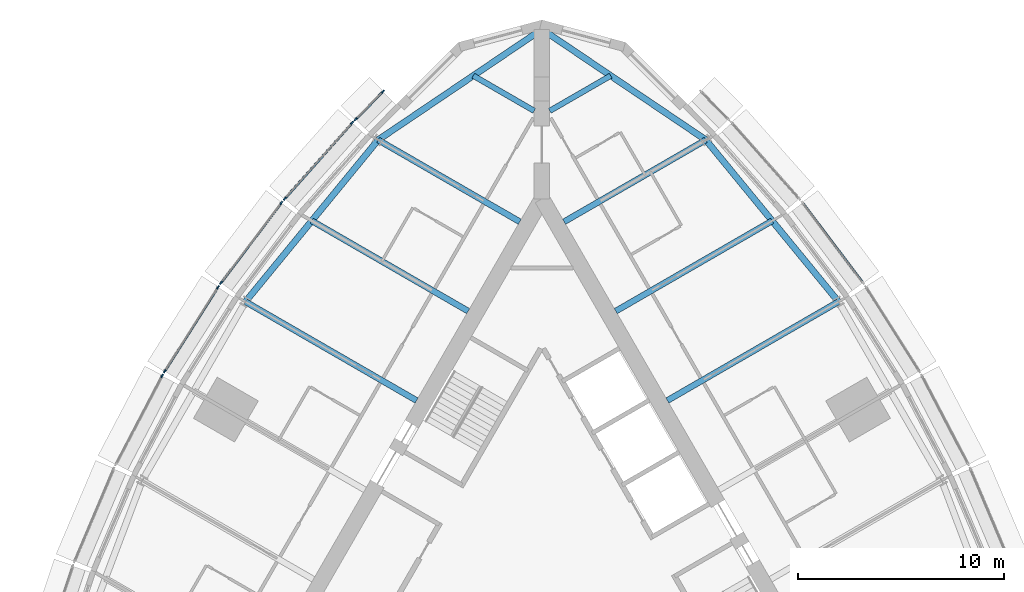
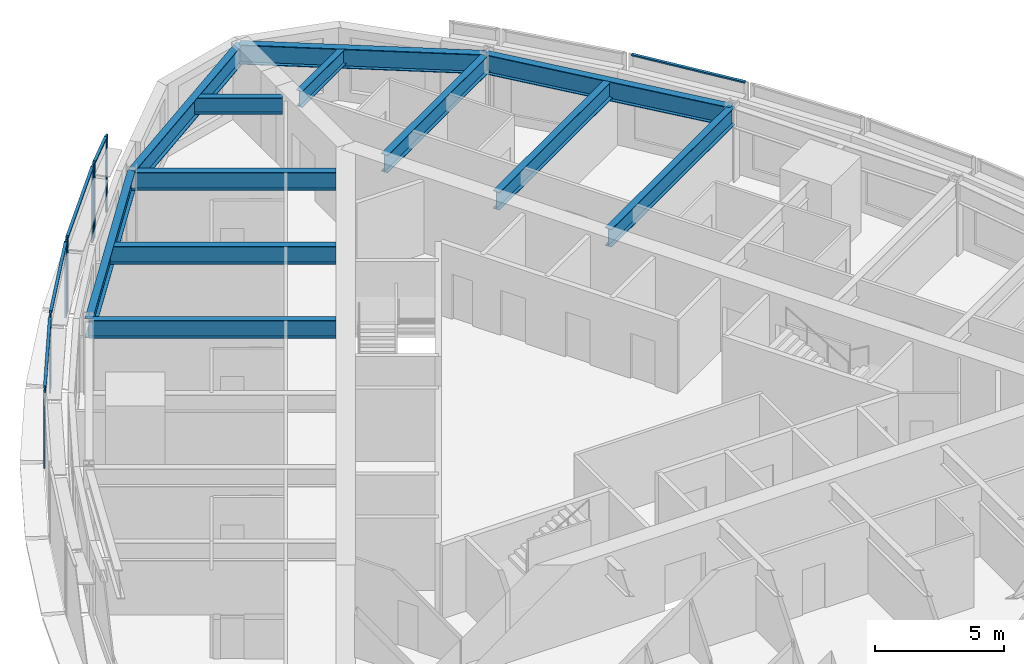
# One storey, part 5 of 15: 14 members, 12 beams, 6 elements without a shape of their own.
"""IFC4 building model written with IfcOpenShell, lengths in metres."""

from ifc_helpers import new_model, si_unit, direction, frame, origin, origin_2d, place, context, subcontext, project, spatial, rectangle, i_section, extrude, material, material_profile, profile_set, type_object, element, aggregate, save


model = new_model("IFC4")

# Units and contexts
model_context = context("Model", 3, precision=1e-05, world=origin(), true_north=direction((0.0, 1.0)))
body_context = subcontext(model_context, "Body", "Model", "MODEL_VIEW")
ifc_project = project(units=[si_unit("LENGTHUNIT", "METRE"), si_unit("AREAUNIT", "SQUARE_METRE"), si_unit("VOLUMEUNIT", "CUBIC_METRE"), si_unit("PLANEANGLEUNIT", "RADIAN"), si_unit("MASSUNIT", "GRAM", prefix="KILO")], contexts=[model_context])

# Site, building, storey
site_placement = place(None, origin())
site = spatial("IfcSite", under=ifc_project, at=site_placement, CompositionType="ELEMENT")
building_placement = place(site_placement, origin())
building = spatial("IfcBuilding", under=site, at=building_placement, Name="Trikona Tower", CompositionType="ELEMENT")
storey_placement = place(building_placement, frame((0.0, 0.0, 226.10009765625)))
storey = spatial("IfcBuildingStorey", under=building, at=storey_placement, Name="L60", CompositionType="ELEMENT", Elevation=226.10009765625)

# Curtain wall, members
ifc_material_1 = material(Name="Aluminium curtain wall system", Category="aluminium")
curtain_wall_type = type_object("IfcCurtainWallType", Name="Curtain wall DS3", PredefinedType="NOTDEFINED", material=ifc_material_1)
curtain_wall_1_placement = place(storey_placement, origin())
curtain_wall_1 = element("IfcCurtainWall", 1, at=curtain_wall_1_placement, inside=storey, type_object=curtain_wall_type, Name="Curtain wall DS3 L60", PredefinedType="NOTDEFINED")
ifc_material_2 = material(Name="Aluminium mullion, pale anodised", Category="aluminium")
ifc_material_profile_1 = material_profile(ifc_material_2, rectangle(XDim=0.070068359375, YDim=0.179931640625, at=origin_2d()), Name="MUL-DS3")
ifc_profile_set_1 = profile_set([ifc_material_profile_1], Name="Aluminium mullion, pale anodised")
member_type_1 = type_object("IfcMemberType", Name="Mullion DS3 70x180", PredefinedType="MULLION", material=ifc_profile_set_1)
member_1_placement = place(storey_placement, frame((-7.7060546875, 24.237548828125, 0.0), z_axis=(0.0, 0.0, 1.0), x_axis=(0.710051900554, -0.704149343903, 0.0)))
member_1 = element("IfcMember", 2, at=member_1_placement, type_object=member_type_1, Name="CW-DS3 mullion 1", PredefinedType="MULLION", context=body_context, shape_type="SweptSolid", body=[
    extrude(rectangle(XDim=0.070068359375, YDim=0.179931640625, at=origin_2d()), origin(), (0.0, 0.0, 1.0), 3.599853515625),
])
member_2_placement = place(storey_placement, frame((-9.028564453125, 22.904052734375, 0.0), z_axis=(0.0, 0.0, 1.0), x_axis=(0.710051900554, -0.704149343903, 0.0)))
member_2 = element("IfcMember", 3, at=member_2_placement, type_object=member_type_1, Name="CW-DS3 mullion 2", PredefinedType="MULLION", context=body_context, shape_type="SweptSolid", body=[
    extrude(rectangle(XDim=0.070068359375, YDim=0.179931640625, at=origin_2d()), origin(), (0.0, 0.0, 1.0), 3.599853515625),
])

curtain_wall_2_placement = place(storey_placement, origin())
curtain_wall_2 = element("IfcCurtainWall", 4, at=curtain_wall_2_placement, inside=storey, type_object=curtain_wall_type, Name="Curtain wall DS3 L60", PredefinedType="NOTDEFINED")
member_3_placement = place(storey_placement, frame((-9.192138671875, 22.729736328125, 0.0), z_axis=(0.0, 0.0, 1.0), x_axis=(0.747402677853, -0.664371309689, 0.0)))
member_3 = element("IfcMember", 5, at=member_3_placement, type_object=member_type_1, Name="CW-DS3 mullion 1", PredefinedType="MULLION", context=body_context, shape_type="SweptSolid", body=[
    extrude(rectangle(XDim=0.070068359375, YDim=0.179931640625, at=origin_2d()), origin(), (0.0, 0.0, 1.0), 3.599853515625),
])
member_4_placement = place(storey_placement, frame((-12.45751953125, 19.056396484375, 0.0), z_axis=(0.0, 0.0, 1.0), x_axis=(0.747402677853, -0.664371309689, 0.0)))
member_4 = element("IfcMember", 6, at=member_4_placement, type_object=member_type_1, Name="CW-DS3 mullion 2", PredefinedType="MULLION", context=body_context, shape_type="SweptSolid", body=[
    extrude(rectangle(XDim=0.070068359375, YDim=0.179931640625, at=origin_2d()), origin(), (0.0, 0.0, 1.0), 3.599853515625),
])

curtain_wall_3_placement = place(storey_placement, origin())
curtain_wall_3 = element("IfcCurtainWall", 7, at=curtain_wall_3_placement, inside=storey, type_object=curtain_wall_type, Name="Curtain wall DS3 L60", PredefinedType="NOTDEFINED")
member_5_placement = place(storey_placement, frame((-12.62353515625, 18.853759765625, 0.0), z_axis=(0.0, 0.0, 1.0), x_axis=(0.798193208724, -0.602401528506, 0.0)))
member_5 = element("IfcMember", 8, at=member_5_placement, type_object=member_type_1, Name="CW-DS3 mullion 1", PredefinedType="MULLION", context=body_context, shape_type="SweptSolid", body=[
    extrude(rectangle(XDim=0.070068359375, YDim=0.179931640625, at=origin_2d()), origin(), (0.0, 0.0, 1.0), 3.599853515625),
])
member_6_placement = place(storey_placement, frame((-15.5439453125, 14.984130859375, 0.0), z_axis=(0.0, 0.0, 1.0), x_axis=(0.798193208724, -0.602401528506, 0.0)))
member_6 = element("IfcMember", 9, at=member_6_placement, type_object=member_type_1, Name="CW-DS3 mullion 2", PredefinedType="MULLION", context=body_context, shape_type="SweptSolid", body=[
    extrude(rectangle(XDim=0.070068359375, YDim=0.179931640625, at=origin_2d()), origin(), (0.0, 0.0, 1.0), 3.599853515625),
])

curtain_wall_4_placement = place(storey_placement, origin())
curtain_wall_4 = element("IfcCurtainWall", 10, at=curtain_wall_4_placement, inside=storey, type_object=curtain_wall_type, Name="Curtain wall DS3 L60", PredefinedType="NOTDEFINED")
member_7_placement = place(storey_placement, frame((-15.69384765625, 14.767578125, 0.0), z_axis=(0.0, 0.0, 1.0), x_axis=(0.844727131858, -0.535197227854, 0.0)))
member_7 = element("IfcMember", 11, at=member_7_placement, type_object=member_type_1, Name="CW-DS3 mullion 1", PredefinedType="MULLION", context=body_context, shape_type="SweptSolid", body=[
    extrude(rectangle(XDim=0.070068359375, YDim=0.179931640625, at=origin_2d()), origin(), (0.0, 0.0, 1.0), 3.599853515625),
])
member_8_placement = place(storey_placement, frame((-18.2705078125, 10.700927734375, 0.0), z_axis=(0.0, 0.0, 1.0), x_axis=(0.844727131858, -0.535197227854, 0.0)))
member_8 = element("IfcMember", 12, at=member_8_placement, type_object=member_type_1, Name="CW-DS3 mullion 2", PredefinedType="MULLION", context=body_context, shape_type="SweptSolid", body=[
    extrude(rectangle(XDim=0.070068359375, YDim=0.179931640625, at=origin_2d()), origin(), (0.0, 0.0, 1.0), 3.599853515625),
])

# Curtain wall, member
curtain_wall_5_placement = place(storey_placement, origin())
curtain_wall_5 = element("IfcCurtainWall", 13, at=curtain_wall_5_placement, inside=storey, type_object=curtain_wall_type, Name="Curtain wall DS3 L60", PredefinedType="NOTDEFINED")
member_9_placement = place(storey_placement, frame((-18.40234375, 10.472412109375, 0.0), z_axis=(0.0, 0.0, 1.0), x_axis=(0.885862390527, -0.463948084434, 0.0)))
member_9 = element("IfcMember", 14, at=member_9_placement, type_object=member_type_1, Name="CW-DS3 mullion 1", PredefinedType="MULLION", context=body_context, shape_type="SweptSolid", body=[
    extrude(rectangle(XDim=0.070068359375, YDim=0.179931640625, at=origin_2d()), origin(), (0.0, 0.0, 1.0), 3.599853515625),
])
aggregate(curtain_wall_5, [member_9])

# Beams
ifc_material_3 = material(Name="Steel ASTM A992 Grade 50", Category="steel")
ifc_material_profile_2 = material_profile(ifc_material_3, i_section(OverallWidth=0.2666015625, OverallDepth=0.76953125, WebThickness=0.015625, FlangeThickness=0.025390625, at=origin_2d()), Name="W30X132")
ifc_profile_set_2 = profile_set([ifc_material_profile_2], Name="Steel ASTM A992 Grade 50")
beam_type_1 = type_object("IfcBeamType", Name="Steel beam W30x132 (wedge)", PredefinedType="BEAM", material=ifc_profile_set_2)
for number, where, z_axis, x_axis, name in (
    (15, (0.375, 23.310546875, 3.050048828125), (0.866027000698, 0.499997234054, 0.0), (-0.499997234054, 0.866027000698, 0.0), "Floor beam L61 F2 u20"),
    (16, (-0.375, 23.310546875, 3.050048828125), (-0.866027000698, 0.499997234054, 0.0), (-0.499997234054, -0.866027000698, 0.0), "Floor beam L61 F3 u-20"),
):
    element("IfcBeam", number, at=place(storey_placement, frame(where, z_axis=z_axis, x_axis=x_axis)), inside=storey, type_object=beam_type_1, Name=name, PredefinedType="BEAM", context=body_context, shape_type="SweptSolid", body=[
        extrude(i_section(OverallWidth=0.2666015625, OverallDepth=0.76953125, WebThickness=0.015625, FlangeThickness=0.025390625, at=origin_2d()), origin(), (0.0, 0.0, 1.0), 3.40966796875),
    ])
ifc_material_4 = material(Name="Steel ASTM A992 Grade 50", Category="steel")
ifc_material_profile_3 = material_profile(ifc_material_4, i_section(OverallWidth=0.2919921875, OverallDepth=0.845703125, WebThickness=0.015380859375, FlangeThickness=0.0244140625, at=origin_2d()), Name="W33X141")
ifc_profile_set_3 = profile_set([ifc_material_profile_3], Name="Steel ASTM A992 Grade 50")
beam_type_2 = type_object("IfcBeamType", Name="Steel beam W33x141 (radial typ)", PredefinedType="BEAM", material=ifc_profile_set_3)
beam_1_placement = place(storey_placement, frame((6.07470703125, 9.28076171875, 3.011962890625), z_axis=(0.866025863714, 0.499999203377, 0.0), x_axis=(-0.499999203377, 0.866025863714, 0.0)))
element("IfcBeam", 17, at=beam_1_placement, inside=storey, type_object=beam_type_2, Name="Floor beam L61 F2 u5", PredefinedType="BEAM", context=body_context, shape_type="SweptSolid", body=[
    extrude(i_section(OverallWidth=0.2919921875, OverallDepth=0.845703125, WebThickness=0.015380859375, FlangeThickness=0.0244140625, at=origin_2d()), origin(), (0.0, 0.0, 1.0), 9.57080078125),
])
beam_2_placement = place(storey_placement, frame((3.57470703125, 13.61083984375, 3.011962890625), z_axis=(0.866013609749, 0.500020427312, 0.0), x_axis=(-0.500020427312, 0.866013609749, 0.0)))
element("IfcBeam", 18, at=beam_2_placement, inside=storey, type_object=beam_type_2, Name="Floor beam L61 F2 u10", PredefinedType="BEAM", context=body_context, shape_type="SweptSolid", body=[
    extrude(i_section(OverallWidth=0.2919921875, OverallDepth=0.845703125, WebThickness=0.015380859375, FlangeThickness=0.0244140625, at=origin_2d()), origin(), (0.0, 0.0, 1.0), 8.747314453125),
])
for number, where, z_axis, x_axis, name in (
    (19, (1.07470703125, 17.94091796875, 3.011962890625), (0.866019853763, 0.500009612796, 0.0), (-0.500009612796, 0.866019853763, 0.0), "Floor beam L61 F2 u15"),
    (20, (-1.07470703125, 17.94091796875, 3.011962890625), (-0.866019853763, 0.500009612796, 0.0), (-0.500009612796, -0.866019853763, 0.0), "Floor beam L61 F3 u-15"),
):
    element("IfcBeam", number, at=place(storey_placement, frame(where, z_axis=z_axis, x_axis=x_axis)), inside=storey, type_object=beam_type_2, Name=name, PredefinedType="BEAM", context=body_context, shape_type="SweptSolid", body=[
        extrude(i_section(OverallWidth=0.2919921875, OverallDepth=0.845703125, WebThickness=0.015380859375, FlangeThickness=0.0244140625, at=origin_2d()), origin(), (0.0, 0.0, 1.0), 7.923583984375),
    ])
beam_3_placement = place(storey_placement, frame((-3.57470703125, 13.61083984375, 3.011962890625), z_axis=(-0.866013609749, 0.500020427312, 0.0), x_axis=(-0.500020427312, -0.866013609749, 0.0)))
element("IfcBeam", 21, at=beam_3_placement, inside=storey, type_object=beam_type_2, Name="Floor beam L61 F3 u-10", PredefinedType="BEAM", context=body_context, shape_type="SweptSolid", body=[
    extrude(i_section(OverallWidth=0.2919921875, OverallDepth=0.845703125, WebThickness=0.015380859375, FlangeThickness=0.0244140625, at=origin_2d()), origin(), (0.0, 0.0, 1.0), 8.747314453125),
])
beam_4_placement = place(storey_placement, frame((-6.07470703125, 9.28076171875, 3.011962890625), z_axis=(-0.866025863714, 0.499999203377, 0.0), x_axis=(-0.499999203377, -0.866025863714, 0.0)))
element("IfcBeam", 22, at=beam_4_placement, inside=storey, type_object=beam_type_2, Name="Floor beam L61 F3 u-5", PredefinedType="BEAM", context=body_context, shape_type="SweptSolid", body=[
    extrude(i_section(OverallWidth=0.2919921875, OverallDepth=0.845703125, WebThickness=0.015380859375, FlangeThickness=0.0244140625, at=origin_2d()), origin(), (0.0, 0.0, 1.0), 9.57080078125),
])
ifc_material_5 = material(Name="Steel ASTM A992 Grade 50", Category="steel")
ifc_material_profile_4 = material_profile(ifc_material_5, i_section(OverallWidth=0.307373046875, OverallDepth=0.922119140625, WebThickness=0.018310546875, FlangeThickness=0.030029296875, at=origin_2d()), Name="W36X182")
ifc_profile_set_4 = profile_set([ifc_material_profile_4], Name="Steel ASTM A992 Grade 50")
beam_type_3 = type_object("IfcBeamType", Name="Steel beam W36x182 (spandrel mid)", PredefinedType="SPANDREL", material=ifc_profile_set_4)
beam_5_placement = place(storey_placement, frame((14.36328125, 14.066162109375, 2.973876953125), z_axis=(-0.634105803308, 0.77324629337, 0.0), x_axis=(-0.77324629337, -0.634105803308, 0.0)))
element("IfcBeam", 23, at=beam_5_placement, inside=storey, type_object=beam_type_3, Name="Spandrel beam L61 F2-4", PredefinedType="SPANDREL", context=body_context, shape_type="SweptSolid", body=[
    extrude(i_section(OverallWidth=0.307373046875, OverallDepth=0.922119140625, WebThickness=0.018310546875, FlangeThickness=0.030029296875, at=origin_2d()), origin(), (0.0, 0.0, 1.0), 10.134765625),
])
for number, where, z_axis, x_axis, name in (
    (24, (7.936767578125, 21.90283203125, 2.973876953125), (-0.828725418029, 0.55965541319, 0.0), (-0.55965541319, -0.828725418029, 0.0), "Spandrel beam L61 F2-5"),
    (25, (0.0, 27.2626953125, 2.973876953125), (-0.828725418029, -0.55965541319, 0.0), (0.55965541319, -0.828725418029, 0.0), "Spandrel beam L61 F3-1"),
):
    element("IfcBeam", number, at=place(storey_placement, frame(where, z_axis=z_axis, x_axis=x_axis)), inside=storey, type_object=beam_type_3, Name=name, PredefinedType="SPANDREL", context=body_context, shape_type="SweptSolid", body=[
        extrude(i_section(OverallWidth=0.307373046875, OverallDepth=0.922119140625, WebThickness=0.018310546875, FlangeThickness=0.030029296875, at=origin_2d()), origin(), (0.0, 0.0, 1.0), 9.5771484375),
    ])
beam_6_placement = place(storey_placement, frame((-7.936767578125, 21.90283203125, 2.973876953125), z_axis=(-0.634105803308, -0.77324629337, 0.0), x_axis=(0.77324629337, -0.634105803308, 0.0)))
element("IfcBeam", 26, at=beam_6_placement, inside=storey, type_object=beam_type_3, Name="Spandrel beam L61 F3-2", PredefinedType="SPANDREL", context=body_context, shape_type="SweptSolid", body=[
    extrude(i_section(OverallWidth=0.307373046875, OverallDepth=0.922119140625, WebThickness=0.018310546875, FlangeThickness=0.030029296875, at=origin_2d()), origin(), (0.0, 0.0, 1.0), 10.134765625),
])

# Curtain wall, member
curtain_wall_6_placement = place(storey_placement, origin())
curtain_wall_6 = element("IfcCurtainWall", 27, at=curtain_wall_6_placement, inside=storey, type_object=curtain_wall_type, Name="Curtain wall DS3 L60", PredefinedType="NOTDEFINED")
ifc_material_6 = material(Name="Aluminium transom, pale anodised", Category="aluminium")
ifc_material_profile_5 = material_profile(ifc_material_6, rectangle(XDim=0.1201171875, YDim=0.070068359375, at=origin_2d()), Name="TRN-DS3")
ifc_profile_set_5 = profile_set([ifc_material_profile_5], Name="Aluminium transom, pale anodised")
member_type_2 = type_object("IfcMemberType", Name="Transom DS3 70x120", PredefinedType="USERDEFINED", material=ifc_profile_set_5)
member_10_placement = place(storey_placement, frame((15.52294921875, 15.011962890625, 3.56494140625), z_axis=(-0.602400763927, 0.798193785756, 0.0), x_axis=(-0.798193785756, -0.602400763927, 0.0)))
member_10 = element("IfcMember", 28, at=member_10_placement, type_object=member_type_2, Name="CW-DS3 transom 1.1", ObjectType="TRANSOM", PredefinedType="USERDEFINED", context=body_context, shape_type="SweptSolid", body=[
    extrude(rectangle(XDim=0.1201171875, YDim=0.070068359375, at=origin_2d()), origin(), (0.0, 0.0, 1.0), 4.7783203125),
])
aggregate(curtain_wall_6, [member_10])

# Member
member_11_placement = place(storey_placement, frame((-7.73046875, 24.212890625, 3.56494140625), z_axis=(-0.704130668076, -0.710070420645, 0.0), x_axis=(0.710070420645, -0.704130668076, 0.0)))
member_11 = element("IfcMember", 29, at=member_11_placement, type_object=member_type_2, Name="CW-DS3 transom 1.1", ObjectType="TRANSOM", PredefinedType="USERDEFINED", context=body_context, shape_type="SweptSolid", body=[
    extrude(rectangle(XDim=0.1201171875, YDim=0.070068359375, at=origin_2d()), origin(), (0.0, 0.0, 1.0), 1.80859375),
])

aggregate(curtain_wall_1, [member_1, member_2, member_11])

member_12_placement = place(storey_placement, frame((-9.21533203125, 22.70361328125, 3.56494140625), z_axis=(-0.66436383883, -0.747409318684, 0.0), x_axis=(0.747409318684, -0.66436383883, 0.0)))
member_12 = element("IfcMember", 30, at=member_12_placement, type_object=member_type_2, Name="CW-DS3 transom 1.1", ObjectType="TRANSOM", PredefinedType="USERDEFINED", context=body_context, shape_type="SweptSolid", body=[
    extrude(rectangle(XDim=0.1201171875, YDim=0.070068359375, at=origin_2d()), origin(), (0.0, 0.0, 1.0), 4.844970703125),
])

aggregate(curtain_wall_2, [member_3, member_4, member_12])

member_13_placement = place(storey_placement, frame((-12.64453125, 18.825927734375, 3.56494140625), z_axis=(-0.602400763927, -0.798193785756, 0.0), x_axis=(0.798193785756, -0.602400763927, 0.0)))
member_13 = element("IfcMember", 31, at=member_13_placement, type_object=member_type_2, Name="CW-DS3 transom 1.1", ObjectType="TRANSOM", PredefinedType="USERDEFINED", context=body_context, shape_type="SweptSolid", body=[
    extrude(rectangle(XDim=0.1201171875, YDim=0.070068359375, at=origin_2d()), origin(), (0.0, 0.0, 1.0), 4.7783203125),
])

aggregate(curtain_wall_3, [member_5, member_6, member_13])

member_14_placement = place(storey_placement, frame((-15.712646484375, 14.738037109375, 3.56494140625), z_axis=(-0.535192866729, -0.844729894938, 0.0), x_axis=(0.844729894938, -0.535192866729, 0.0)))
member_14 = element("IfcMember", 32, at=member_14_placement, type_object=member_type_2, Name="CW-DS3 transom 1.1", ObjectType="TRANSOM", PredefinedType="USERDEFINED", context=body_context, shape_type="SweptSolid", body=[
    extrude(rectangle(XDim=0.1201171875, YDim=0.070068359375, at=origin_2d()), origin(), (0.0, 0.0, 1.0), 4.744140625),
])

aggregate(curtain_wall_4, [member_7, member_8, member_14])

save(model, "model.ifc")
